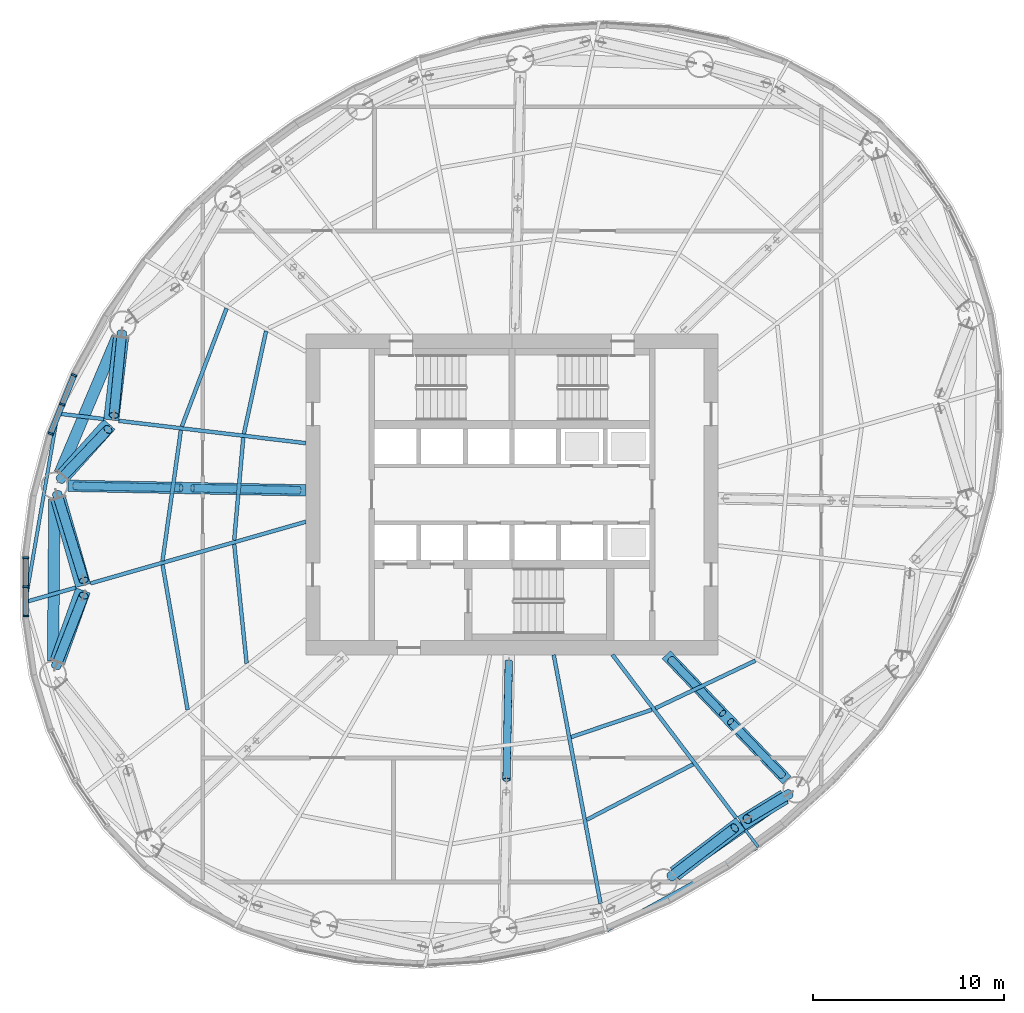
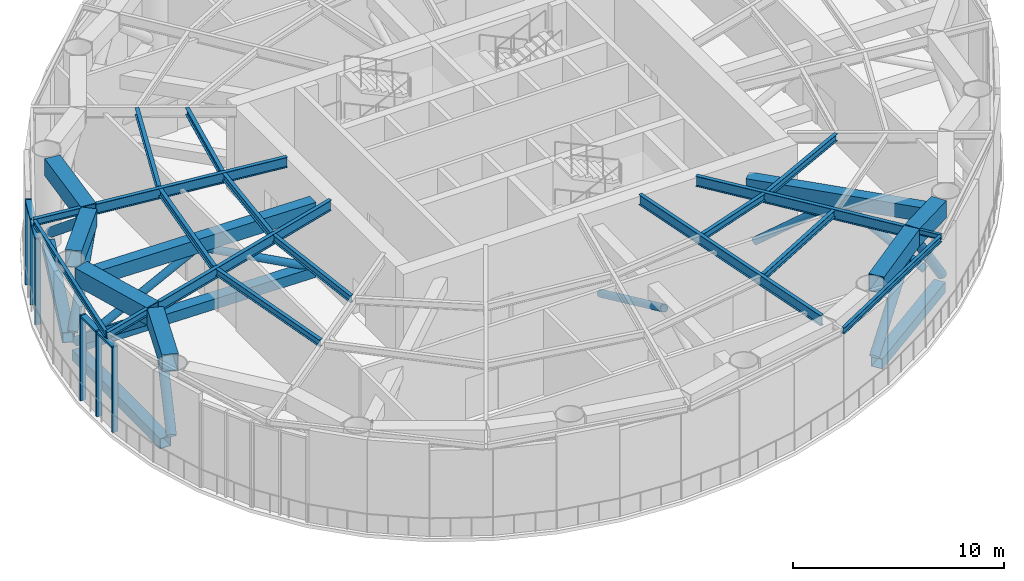
# One storey, part 3 of 19: 33 members, 18 beams, 2 elements without a shape of their own.
"""IFC4 building model written with IfcOpenShell, lengths in metres."""

from ifc_helpers import new_model, si_unit, direction, frame, origin, origin_2d, place, context, subcontext, project, spatial, rectangle, hollow_rectangle, hollow_circle, i_section, extrude, material, material_profile, profile_set, type_object, element, aggregate, save


model = new_model("IFC4")

# Units and contexts
model_context = context("Model", 3, precision=1e-05, world=origin(), true_north=direction((0.0, 1.0)))
body_context = subcontext(model_context, "Body", "Model", "MODEL_VIEW")
ifc_project = project(units=[si_unit("LENGTHUNIT", "METRE"), si_unit("AREAUNIT", "SQUARE_METRE"), si_unit("VOLUMEUNIT", "CUBIC_METRE"), si_unit("PLANEANGLEUNIT", "RADIAN"), si_unit("MASSUNIT", "GRAM", prefix="KILO")], contexts=[model_context])

# Site, building, storey
site_placement = place(None, origin())
site = spatial("IfcSite", under=ifc_project, at=site_placement, CompositionType="ELEMENT")
building_placement = place(site_placement, origin())
building = spatial("IfcBuilding", under=site, at=building_placement, Name="Vermilion Reach Broadcast Tower", CompositionType="ELEMENT")
storey_placement = place(building_placement, frame((0.0, 0.0, 190.199951171875)))
storey = spatial("IfcBuildingStorey", under=building, at=storey_placement, Name="L46", CompositionType="ELEMENT", Elevation=190.199951171875)

# Members
ifc_material_1 = material(Name="Steel S460NL", Category="steel")
ifc_material_profile_1 = material_profile(ifc_material_1, hollow_rectangle(XDim=0.60009765625, YDim=0.60009765625, WallThickness=0.030029296875, at=origin_2d()), Name="S460NL BOX 600x600x30")
ifc_profile_set_1 = profile_set([ifc_material_profile_1], Name="Steel S460NL")
member_type_1 = type_object("IfcMemberType", Name="BT3-BC BOX 600x600x30", PredefinedType="CHORD", material=ifc_profile_set_1)
member_1_placement = place(storey_placement, frame((-26.660888671875, 8.266845703125, 0.300048828125), z_axis=(-0.389368386196, -0.921082113512, 0.0), x_axis=(0.921082113512, -0.389368386196, 0.0)))
element("IfcMember", 1, at=member_1_placement, inside=storey, type_object=member_type_1, Name="Belt truss bottom chord BT3-BC06", PredefinedType="CHORD", context=body_context, shape_type="SweptSolid", body=[
    extrude(hollow_rectangle(XDim=0.60009765625, YDim=0.60009765625, WallThickness=0.030029296875, at=origin_2d()), origin(), (0.0, 0.0, 1.0), 7.771240234375),
])
member_2_placement = place(storey_placement, frame((-29.965087890625, -0.23583984375, 0.300048828125), z_axis=(-0.008204232036, -0.999966344722, 0.0), x_axis=(0.999966344722, -0.008204232036, 0.0)))
element("IfcMember", 2, at=member_2_placement, inside=storey, type_object=member_type_1, Name="Belt truss bottom chord BT3-BC07", PredefinedType="CHORD", context=body_context, shape_type="SweptSolid", body=[
    extrude(hollow_rectangle(XDim=0.60009765625, YDim=0.60009765625, WallThickness=0.030029296875, at=origin_2d()), origin(), (0.0, 0.0, 1.0), 8.48095703125),
])
member_3_placement = place(storey_placement, frame((2.525634765625, -19.900146484375, 0.300048828125), z_axis=(0.820111453349, 0.572203813415, 0.0), x_axis=(-0.572203813415, 0.820111453349, 0.0)))
element("IfcMember", 3, at=member_3_placement, inside=storey, type_object=member_type_1, Name="Belt truss bottom chord BT3-BC12", PredefinedType="CHORD", context=body_context, shape_type="SweptSolid", body=[
    extrude(hollow_rectangle(XDim=0.60009765625, YDim=0.60009765625, WallThickness=0.030029296875, at=origin_2d()), origin(), (0.0, 0.0, 1.0), 7.04736328125),
])
ifc_material_2 = material(Name="Steel S355J2H", Category="steel")
ifc_material_profile_2 = material_profile(ifc_material_2, hollow_circle(Radius=0.25390625, WallThickness=0.02001953125, at=origin_2d()), Name="S355J2H CHS 508x20")
ifc_profile_set_2 = profile_set([ifc_material_profile_2], Name="Steel S355J2H")
member_type_2 = type_object("IfcMemberType", Name="BT3-D CHS 508x20", PredefinedType="BRACE", material=ifc_profile_set_2)
member_4_placement = place(storey_placement, frame((-26.431396484375, 8.463623046875, 0.800048828125), z_axis=(-0.074115123368, -0.771894639727, 0.631415563356), x_axis=(0.995421983805, -0.095577581882, 0.0)))
element("IfcMember", 4, at=member_4_placement, inside=storey, type_object=member_type_2, Name="Belt truss diagonal BT3-D06A", PredefinedType="BRACE", context=body_context, shape_type="SweptSolid", body=[
    extrude(hollow_circle(Radius=0.25390625, WallThickness=0.02001953125, at=origin_2d()), origin(), (0.0, 0.0, 1.0), 5.6064453125),
])
member_5_placement = place(storey_placement, frame((-29.648681640625, 0.789794921875, 0.800048828125), z_axis=(0.492734451892, 0.516308413904, 0.700455838473), x_axis=(-0.723429299599, 0.6903984708, 0.0)))
element("IfcMember", 5, at=member_5_placement, inside=storey, type_object=member_type_2, Name="Belt truss diagonal BT3-D06B", PredefinedType="BRACE", context=body_context, shape_type="SweptSolid", body=[
    extrude(hollow_circle(Radius=0.25390625, WallThickness=0.02001953125, at=origin_2d()), origin(), (0.0, 0.0, 1.0), 5.053955078125),
])
member_6_placement = place(storey_placement, frame((-29.826171875, 0.034423828125, 0.800048828125), z_axis=(0.237338124652, -0.765804970114, 0.597673290632), x_axis=(0.955178988693, 0.296028882981, 0.0)))
element("IfcMember", 6, at=member_6_placement, inside=storey, type_object=member_type_2, Name="Belt truss diagonal BT3-D07A", PredefinedType="BRACE", context=body_context, shape_type="SweptSolid", body=[
    extrude(hollow_circle(Radius=0.25390625, WallThickness=0.02001953125, at=origin_2d()), origin(), (0.0, 0.0, 1.0), 5.923095703125),
])
member_7_placement = place(storey_placement, frame((-29.876220703125, -8.99755859375, 0.800048828125), z_axis=(0.272455464014, 0.694862410665, 0.665533057311), x_axis=(-0.930991230231, 0.365041544531, 0.0)))
element("IfcMember", 7, at=member_7_placement, inside=storey, type_object=member_type_2, Name="Belt truss diagonal BT3-D07B", PredefinedType="BRACE", context=body_context, shape_type="SweptSolid", body=[
    extrude(hollow_circle(Radius=0.25390625, WallThickness=0.02001953125, at=origin_2d()), origin(), (0.0, 0.0, 1.0), 5.319091796875),
])
member_8_placement = place(storey_placement, frame((2.309326171875, -20.027587890625, 0.800048828125), z_axis=(0.609097937312, 0.464954507218, 0.642508372692), x_axis=(-0.606769480888, 0.794877850404, 0.0)))
element("IfcMember", 8, at=member_8_placement, inside=storey, type_object=member_type_2, Name="Belt truss diagonal BT3-D12A", PredefinedType="BRACE", context=body_context, shape_type="SweptSolid", body=[
    extrude(hollow_circle(Radius=0.25390625, WallThickness=0.02001953125, at=origin_2d()), origin(), (0.0, 0.0, 1.0), 5.509765625),
])
member_9_placement = place(storey_placement, frame((8.49365234375, -15.699462890625, 0.800048828125), z_axis=(-0.498854282435, -0.300501118662, 0.812922802349), x_axis=(0.515995613285, -0.856591225189, 0.0)))
element("IfcMember", 9, at=member_9_placement, inside=storey, type_object=member_type_2, Name="Belt truss diagonal BT3-D12B", PredefinedType="BRACE", context=body_context, shape_type="SweptSolid", body=[
    extrude(hollow_circle(Radius=0.25390625, WallThickness=0.02001953125, at=origin_2d()), origin(), (0.0, 0.0, 1.0), 4.354736328125),
])
ifc_material_3 = material(Name="Steel S460NL", Category="steel")
ifc_material_profile_3 = material_profile(ifc_material_3, hollow_rectangle(XDim=0.800048828125, YDim=1.0, WallThickness=0.0400390625, at=origin_2d()), Name="S460NL BOX 800x1000x40")
ifc_profile_set_3 = profile_set([ifc_material_profile_3], Name="Steel S460NL")
member_type_3 = type_object("IfcMemberType", Name="BT3-TC BOX 800x1000x40", PredefinedType="CHORD", material=ifc_profile_set_3)
member_10_placement = place(storey_placement, frame((-26.472412109375, 8.20654296875, 4.85009765625), z_axis=(-0.11860386454, -0.992941651516, 0.0), x_axis=(0.992941651516, -0.11860386454, 0.0)))
element("IfcMember", 10, at=member_10_placement, inside=storey, type_object=member_type_3, Name="Belt truss top chord BT3-TC11", PredefinedType="CHORD", context=body_context, shape_type="SweptSolid", body=[
    extrude(hollow_rectangle(XDim=0.800048828125, YDim=1.0, WallThickness=0.0400390625, at=origin_2d()), origin(), (0.0, 0.0, 1.0), 4.339111328125),
])
member_11_placement = place(storey_placement, frame((-27.090087890625, 3.669921875, 4.85009765625), z_axis=(-0.666912059701, -0.745136433564, 0.0), x_axis=(0.745136433564, -0.666912059701, 0.0)))
element("IfcMember", 11, at=member_11_placement, inside=storey, type_object=member_type_3, Name="Belt truss top chord BT3-TC12", PredefinedType="CHORD", context=body_context, shape_type="SweptSolid", body=[
    extrude(hollow_rectangle(XDim=0.800048828125, YDim=1.0, WallThickness=0.0400390625, at=origin_2d()), origin(), (0.0, 0.0, 1.0), 3.59228515625),
])
member_12_placement = place(storey_placement, frame((-29.76416015625, -0.21826171875, 4.85009765625), z_axis=(0.275183916878, -0.961391601738, 0.0), x_axis=(0.961391601738, 0.275183916878, 0.0)))
element("IfcMember", 12, at=member_12_placement, inside=storey, type_object=member_type_3, Name="Belt truss top chord BT3-TC13", PredefinedType="CHORD", context=body_context, shape_type="SweptSolid", body=[
    extrude(hollow_rectangle(XDim=0.800048828125, YDim=1.0, WallThickness=0.0400390625, at=origin_2d()), origin(), (0.0, 0.0, 1.0), 4.737548828125),
])
member_13_placement = place(storey_placement, frame((-28.46875, -5.02734375, 4.85009765625), z_axis=(-0.337111137544, -0.941464859112, 0.0), x_axis=(0.941464859112, -0.337111137544, 0.0)))
element("IfcMember", 13, at=member_13_placement, inside=storey, type_object=member_type_3, Name="Belt truss top chord BT3-TC14", PredefinedType="CHORD", context=body_context, shape_type="SweptSolid", body=[
    extrude(hollow_rectangle(XDim=0.800048828125, YDim=1.0, WallThickness=0.0400390625, at=origin_2d()), origin(), (0.0, 0.0, 1.0), 3.9521484375),
])
member_14_placement = place(storey_placement, frame((2.517578125, -19.871826171875, 4.85009765625), z_axis=(0.796881904774, 0.604135108932, 0.0), x_axis=(-0.604135108932, 0.796881904774, 0.0)))
element("IfcMember", 14, at=member_14_placement, inside=storey, type_object=member_type_3, Name="Belt truss top chord BT3-TC23", PredefinedType="CHORD", context=body_context, shape_type="SweptSolid", body=[
    extrude(hollow_rectangle(XDim=0.800048828125, YDim=1.0, WallThickness=0.0400390625, at=origin_2d()), origin(), (0.0, 0.0, 1.0), 4.3369140625),
])
member_15_placement = place(storey_placement, frame((6.014404296875, -17.223876953125, 4.85009765625), z_axis=(0.852495327157, 0.522734844043, 0.0), x_axis=(-0.522734844043, 0.852495327157, 0.0)))
element("IfcMember", 15, at=member_15_placement, inside=storey, type_object=member_type_3, Name="Belt truss top chord BT3-TC24", PredefinedType="CHORD", context=body_context, shape_type="SweptSolid", body=[
    extrude(hollow_rectangle(XDim=0.800048828125, YDim=1.0, WallThickness=0.0400390625, at=origin_2d()), origin(), (0.0, 0.0, 1.0), 2.650390625),
])

# Curtain wall, members
ifc_material_4 = material(Name="Low-e laminated clear glass in aluminium frame", Category="aluminium")
curtain_wall_type = type_object("IfcCurtainWallType", Name="Belt glazing curtain wall", PredefinedType="NOTDEFINED", material=ifc_material_4)
placement = place(storey_placement, origin())
curtain_wall_1 = element("IfcCurtainWall", 16, at=placement, inside=storey, type_object=curtain_wall_type, Name="Sky lobby glazing L46 01", PredefinedType="NOTDEFINED")
ifc_material_5 = material(Name="Anodised aluminium", Category="aluminium")
ifc_material_profile_4 = material_profile(ifc_material_5, rectangle(XDim=0.300048828125, YDim=0.10009765625, at=origin_2d()), Name="Belt glazing mullion 100 x 300")
ifc_profile_set_4 = profile_set([ifc_material_profile_4], Name="Anodised aluminium")
member_type_4 = type_object("IfcMemberType", Name="Belt glazing mullion 100 x 300", PredefinedType="MULLION", material=ifc_profile_set_4)
member_16_placement = place(storey_placement, frame((-28.93310546875, 6.243408203125, 0.0), z_axis=(0.0, 0.0, 1.0), x_axis=(0.927587781279, -0.373605283717, 0.0)))
member_16 = element("IfcMember", 17, at=member_16_placement, type_object=member_type_4, Name="Sky lobby glazing mullion L46 01.1", PredefinedType="MULLION", context=body_context, shape_type="SweptSolid", body=[
    extrude(rectangle(XDim=0.300048828125, YDim=0.10009765625, at=origin_2d()), origin(), (0.0, 0.0, 1.0), 4.949951171875),
])
member_17_placement = place(storey_placement, frame((-29.549560546875, 4.712646484375, 0.0), z_axis=(0.0, 0.0, 1.0), x_axis=(0.927587781279, -0.373605283717, 0.0)))
member_17 = element("IfcMember", 18, at=member_17_placement, type_object=member_type_4, Name="Sky lobby glazing mullion L46 01.2", PredefinedType="MULLION", context=body_context, shape_type="SweptSolid", body=[
    extrude(rectangle(XDim=0.300048828125, YDim=0.10009765625, at=origin_2d()), origin(), (0.0, 0.0, 1.0), 4.949951171875),
])
member_18_placement = place(storey_placement, frame((-30.166259765625, 3.181884765625, 0.0), z_axis=(0.0, 0.0, 1.0), x_axis=(0.927587781279, -0.373605283717, 0.0)))
member_18 = element("IfcMember", 19, at=member_18_placement, type_object=member_type_4, Name="Sky lobby glazing mullion L46 01.3", PredefinedType="MULLION", context=body_context, shape_type="SweptSolid", body=[
    extrude(rectangle(XDim=0.300048828125, YDim=0.10009765625, at=origin_2d()), origin(), (0.0, 0.0, 1.0), 4.949951171875),
])

curtain_wall_2 = element("IfcCurtainWall", 20, at=placement, inside=storey, type_object=curtain_wall_type, Name="Sky lobby glazing L46 01", PredefinedType="NOTDEFINED")
member_19_placement = place(storey_placement, frame((-31.466552734375, -3.32421875, 0.0), z_axis=(0.0, 0.0, 1.0), x_axis=(0.999995834757, 0.002886255127, 0.0)))
member_19 = element("IfcMember", 21, at=member_19_placement, type_object=member_type_4, Name="Sky lobby glazing mullion L46 01.1", PredefinedType="MULLION", context=body_context, shape_type="SweptSolid", body=[
    extrude(rectangle(XDim=0.300048828125, YDim=0.10009765625, at=origin_2d()), origin(), (0.0, 0.0, 1.0), 4.949951171875),
])
member_20_placement = place(storey_placement, frame((-31.462158203125, -4.846923828125, 0.0), z_axis=(0.0, 0.0, 1.0), x_axis=(0.999995834757, 0.002886255127, 0.0)))
member_20 = element("IfcMember", 22, at=member_20_placement, type_object=member_type_4, Name="Sky lobby glazing mullion L46 01.2", PredefinedType="MULLION", context=body_context, shape_type="SweptSolid", body=[
    extrude(rectangle(XDim=0.300048828125, YDim=0.10009765625, at=origin_2d()), origin(), (0.0, 0.0, 1.0), 4.949951171875),
])
member_21_placement = place(storey_placement, frame((-31.457763671875, -6.369384765625, 0.0), z_axis=(0.0, 0.0, 1.0), x_axis=(0.999995834757, 0.002886255127, 0.0)))
member_21 = element("IfcMember", 23, at=member_21_placement, type_object=member_type_4, Name="Sky lobby glazing mullion L46 01.3", PredefinedType="MULLION", context=body_context, shape_type="SweptSolid", body=[
    extrude(rectangle(XDim=0.300048828125, YDim=0.10009765625, at=origin_2d()), origin(), (0.0, 0.0, 1.0), 4.949951171875),
])

# Member
ifc_material_6 = material(Name="Anodised aluminium", Category="aluminium")
ifc_material_profile_5 = material_profile(ifc_material_6, rectangle(XDim=0.300048828125, YDim=0.1201171875, at=origin_2d()), Name="Belt glazing transom 300 x 120")
ifc_profile_set_5 = profile_set([ifc_material_profile_5], Name="Anodised aluminium")
member_type_5 = type_object("IfcMemberType", Name="Belt glazing transom 300 x 120", PredefinedType="USERDEFINED", material=ifc_profile_set_5)
member_22_placement = place(storey_placement, frame((-28.951904296875, 6.197021484375, 4.89013671875), z_axis=(-0.373561910372, -0.927605249618, 0.0), x_axis=(0.927605249618, -0.373561910372, 0.0)))
member_22 = element("IfcMember", 24, at=member_22_placement, type_object=member_type_5, Name="Sky lobby glazing transom L46 01.1.2", ObjectType="TRANSOM", PredefinedType="USERDEFINED", context=body_context, shape_type="SweptSolid", body=[
    extrude(rectangle(XDim=0.300048828125, YDim=0.1201171875, at=origin_2d()), origin(), (0.0, 0.0, 1.0), 1.55029296875),
])

member_23_placement = place(storey_placement, frame((-29.568359375, 4.666259765625, 4.89013671875), z_axis=(-0.373561910372, -0.927605249618, 0.0), x_axis=(0.927605249618, -0.373561910372, 0.0)))
member_23 = element("IfcMember", 25, at=member_23_placement, type_object=member_type_5, Name="Sky lobby glazing transom L46 01.2.2", ObjectType="TRANSOM", PredefinedType="USERDEFINED", context=body_context, shape_type="SweptSolid", body=[
    extrude(rectangle(XDim=0.300048828125, YDim=0.1201171875, at=origin_2d()), origin(), (0.0, 0.0, 1.0), 1.55029296875),
])

aggregate(curtain_wall_1, [member_16, member_17, member_18, member_22, member_23])

member_24_placement = place(storey_placement, frame((-31.466552734375, -3.374267578125, 4.89013671875), z_axis=(0.002917440819, -0.99999574426, 0.0), x_axis=(0.99999574426, 0.002917440819, 0.0)))
member_24 = element("IfcMember", 26, at=member_24_placement, type_object=member_type_5, Name="Sky lobby glazing transom L46 01.1.2", ObjectType="TRANSOM", PredefinedType="USERDEFINED", context=body_context, shape_type="SweptSolid", body=[
    extrude(rectangle(XDim=0.300048828125, YDim=0.1201171875, at=origin_2d()), origin(), (0.0, 0.0, 1.0), 1.422607421875),
])

member_25_placement = place(storey_placement, frame((-31.462158203125, -4.89697265625, 4.89013671875), z_axis=(0.002917440819, -0.99999574426, 0.0), x_axis=(0.99999574426, 0.002917440819, 0.0)))
member_25 = element("IfcMember", 27, at=member_25_placement, type_object=member_type_5, Name="Sky lobby glazing transom L46 01.2.2", ObjectType="TRANSOM", PredefinedType="USERDEFINED", context=body_context, shape_type="SweptSolid", body=[
    extrude(rectangle(XDim=0.300048828125, YDim=0.1201171875, at=origin_2d()), origin(), (0.0, 0.0, 1.0), 1.422607421875),
])

aggregate(curtain_wall_2, [member_19, member_20, member_21, member_24, member_25])

# Beams
ifc_material_7 = material(Name="Steel S355J2", Category="steel")
ifc_material_profile_6 = material_profile(ifc_material_7, i_section(OverallWidth=0.175048828125, OverallDepth=0.35009765625, WebThickness=0.007080078125, FlangeThickness=0.010986328125, at=origin_2d()), Name="S355J2 HN 350x175x7x11")
ifc_profile_set_6 = profile_set([ifc_material_profile_6], Name="Steel S355J2")
beam_type_1 = type_object("IfcBeamType", Name="EB4 HN 350x175x7x11", PredefinedType="BEAM", material=ifc_profile_set_6)
beam_1_placement = place(storey_placement, frame((-29.80810546875, 4.134033203125, 5.175048828125), z_axis=(-0.169471696783, -0.985535054673, 0.0), x_axis=(0.985535054673, -0.169471696783, 0.0)))
element("IfcBeam", 28, at=beam_1_placement, inside=storey, type_object=beam_type_1, Name="Edge beam EB4-06", PredefinedType="BEAM", context=body_context, shape_type="SweptSolid", body=[
    extrude(i_section(OverallWidth=0.175048828125, OverallDepth=0.35009765625, WebThickness=0.007080078125, FlangeThickness=0.010986328125, at=origin_2d()), origin(), (0.0, 0.0, 1.0), 9.80615234375),
])
beam_2_placement = place(storey_placement, frame((-1.022216796875, -22.829833984375, 5.175048828125), z_axis=(0.875822279615, 0.482633747816, 0.0), x_axis=(-0.482633747816, 0.875822279615, 0.0)))
element("IfcBeam", 29, at=beam_2_placement, inside=storey, type_object=beam_type_1, Name="Edge beam EB4-11", PredefinedType="BEAM", context=body_context, shape_type="SweptSolid", body=[
    extrude(i_section(OverallWidth=0.175048828125, OverallDepth=0.35009765625, WebThickness=0.007080078125, FlangeThickness=0.010986328125, at=origin_2d()), origin(), (0.0, 0.0, 1.0), 8.963623046875),
])
ifc_material_8 = material(Name="Steel S355J2", Category="steel")
ifc_material_profile_7 = material_profile(ifc_material_8, i_section(OverallWidth=0.199951171875, OverallDepth=0.60009765625, WebThickness=0.010986328125, FlangeThickness=0.01708984375, at=origin_2d()), Name="S355J2 HN 600x200x11x17")
ifc_profile_set_7 = profile_set([ifc_material_profile_7], Name="Steel S355J2")
beam_type_2 = type_object("IfcBeamType", Name="G4 HN 600x200x11x17", PredefinedType="BEAM", material=ifc_profile_set_7)
beam_3_placement = place(storey_placement, frame((-16.800048828125, 2.68115234375, 5.050048828125), z_axis=(-0.992943703663, 0.118586682881, 0.0), x_axis=(-0.118586682881, -0.992943703663, 0.0)))
element("IfcBeam", 30, at=beam_3_placement, inside=storey, type_object=beam_type_2, Name="Girder G4-06", PredefinedType="BEAM", context=body_context, shape_type="SweptSolid", body=[
    extrude(i_section(OverallWidth=0.199951171875, OverallDepth=0.60009765625, WebThickness=0.010986328125, FlangeThickness=0.01708984375, at=origin_2d()), origin(), (0.0, 0.0, 1.0), 9.859375),
])
beam_4_placement = place(storey_placement, frame((-16.800048828125, -1.435546875, 5.050048828125), z_axis=(-0.961397380109, -0.275163728568, 0.0), x_axis=(0.275163728568, -0.961397380109, 0.0)))
element("IfcBeam", 31, at=beam_4_placement, inside=storey, type_object=beam_type_2, Name="Girder G4-07", PredefinedType="BEAM", context=body_context, shape_type="SweptSolid", body=[
    extrude(i_section(OverallWidth=0.199951171875, OverallDepth=0.60009765625, WebThickness=0.010986328125, FlangeThickness=0.01708984375, at=origin_2d()), origin(), (0.0, 0.0, 1.0), 11.728515625),
])
beam_5_placement = place(storey_placement, frame((-3.815673828125, -8.39990234375, 5.050048828125), z_axis=(0.185057440296, -0.982727705822, 0.0), x_axis=(0.982727705822, 0.185057440296, 0.0)))
element("IfcBeam", 32, at=beam_5_placement, inside=storey, type_object=beam_type_2, Name="Girder G4-11", PredefinedType="BEAM", context=body_context, shape_type="SweptSolid", body=[
    extrude(i_section(OverallWidth=0.199951171875, OverallDepth=0.60009765625, WebThickness=0.010986328125, FlangeThickness=0.01708984375, at=origin_2d()), origin(), (0.0, 0.0, 1.0), 13.26513671875),
])
beam_6_placement = place(storey_placement, frame((-0.73681640625, -8.39990234375, 5.050048828125), z_axis=(0.604106994463, -0.79690321824, 0.0), x_axis=(0.79690321824, 0.604106994463, 0.0)))
element("IfcBeam", 33, at=beam_6_placement, inside=storey, type_object=beam_type_2, Name="Girder G4-12", PredefinedType="BEAM", context=body_context, shape_type="SweptSolid", body=[
    extrude(i_section(OverallWidth=0.199951171875, OverallDepth=0.60009765625, WebThickness=0.010986328125, FlangeThickness=0.01708984375, at=origin_2d()), origin(), (0.0, 0.0, 1.0), 10.7080078125),
])
ifc_material_9 = material(Name="Steel S355J2", Category="steel")
ifc_material_profile_8 = material_profile(ifc_material_9, i_section(OverallWidth=0.199951171875, OverallDepth=0.39990234375, WebThickness=0.008056640625, FlangeThickness=0.012939453125, at=origin_2d()), Name="S355J2 HN 400x200x8x13")
ifc_profile_set_8 = profile_set([ifc_material_profile_8], Name="Steel S355J2")
beam_type_3 = type_object("IfcBeamType", Name="GC4 HN 400x200x8x13", PredefinedType="BEAM", material=ifc_profile_set_8)
beam_7_placement = place(storey_placement, frame((-27.38427734375, 3.9453125, 5.150146484375), z_axis=(-0.992947678053, 0.118553399987, 0.0), x_axis=(-0.118553399987, -0.992947678053, 0.0)))
element("IfcBeam", 34, at=beam_7_placement, inside=storey, type_object=beam_type_3, Name="Cantilever girder GC4-06", PredefinedType="BEAM", context=body_context, shape_type="SweptSolid", body=[
    extrude(i_section(OverallWidth=0.199951171875, OverallDepth=0.39990234375, WebThickness=0.008056640625, FlangeThickness=0.012939453125, at=origin_2d()), origin(), (0.0, 0.0, 1.0), 2.423828125),
])
beam_8_placement = place(storey_placement, frame((-28.844970703125, -4.883056640625, 5.150146484375), z_axis=(-0.961406602479, -0.275131504394, 0.0), x_axis=(0.275131504394, -0.961406602479, 0.0)))
element("IfcBeam", 35, at=beam_8_placement, inside=storey, type_object=beam_type_3, Name="Cantilever girder GC4-07", PredefinedType="BEAM", context=body_context, shape_type="SweptSolid", body=[
    extrude(i_section(OverallWidth=0.199951171875, OverallDepth=0.39990234375, WebThickness=0.008056640625, FlangeThickness=0.012939453125, at=origin_2d()), origin(), (0.0, 0.0, 1.0), 2.75),
])
ifc_material_10 = material(Name="Steel S355J2", Category="steel")
ifc_material_profile_9 = material_profile(ifc_material_10, i_section(OverallWidth=0.14990234375, OverallDepth=0.300048828125, WebThickness=0.006591796875, FlangeThickness=0.009033203125, at=origin_2d()), Name="S355J2 HN 300x150x6.5x9")
ifc_profile_set_9 = profile_set([ifc_material_profile_9], Name="Steel S355J2")
beam_type_4 = type_object("IfcBeamType", Name="GS4 HN 300x150x6.5x9", PredefinedType="BEAM", material=ifc_profile_set_9)
beam_9_placement = place(storey_placement, frame((6.21533203125, -17.570556640625, 5.199951171875), z_axis=(0.604020644864, -0.796968669759, 0.0), x_axis=(0.796968669759, 0.604020644864, 0.0)))
element("IfcBeam", 36, at=beam_9_placement, inside=storey, type_object=beam_type_4, Name="Cantilever stub GS4-12", PredefinedType="BEAM", context=body_context, shape_type="SweptSolid", body=[
    extrude(i_section(OverallWidth=0.14990234375, OverallDepth=0.300048828125, WebThickness=0.006591796875, FlangeThickness=0.009033203125, at=origin_2d()), origin(), (0.0, 0.0, 1.0), 1.124755859375),
])

# Members
ifc_material_11 = material(Name="Steel S460NL", Category="steel")
ifc_material_profile_10 = material_profile(ifc_material_11, hollow_rectangle(XDim=0.60009765625, YDim=0.60009765625, WallThickness=0.030029296875, at=origin_2d()), Name="S460NL BOX 600x600x30")
ifc_profile_set_10 = profile_set([ifc_material_profile_10], Name="Steel S460NL")
member_type_6 = type_object("IfcMemberType", Name="OR3-BC BOX 600x600x30", PredefinedType="CHORD", material=ifc_profile_set_10)
member_26_placement = place(storey_placement, frame((-16.800048828125, 0.209228515625, 0.300048828125), z_axis=(-0.999812275453, 0.019375599413, 0.0), x_axis=(-0.019375599413, -0.999812275453, 0.0)))
element("IfcMember", 37, at=member_26_placement, inside=storey, type_object=member_type_6, Name="Outrigger bottom chord OR3-07", PredefinedType="CHORD", context=body_context, shape_type="SweptSolid", body=[
    extrude(hollow_rectangle(XDim=0.60009765625, YDim=0.60009765625, WallThickness=0.030029296875, at=origin_2d()), origin(), (0.0, 0.0, 1.0), 12.4619140625),
])
ifc_material_12 = material(Name="Steel S355J2H", Category="steel")
ifc_material_profile_11 = material_profile(ifc_material_12, hollow_circle(Radius=0.203125, WallThickness=0.01611328125, at=origin_2d()), Name="S355J2H CHS 406x16")
ifc_profile_set_11 = profile_set([ifc_material_profile_11], Name="Steel S355J2H")
member_type_7 = type_object("IfcMemberType", Name="OR3-D CHS 406x16", PredefinedType="BRACE", material=ifc_profile_set_11)
for number, where, z_axis, x_axis, name in (
    (38, (-17.14990234375, 0.216064453125, 0.60009765625), (-0.883925220078, 0.017133181907, 0.467314304712), (-0.019379427047, -0.999812201269, 0.0), "Outrigger diagonal OR3-07-DA"),
    (39, (-28.90966796875, 0.44384765625, 0.60009765625), (0.883925220078, -0.017133181907, 0.467314304712), (0.019379427047, 0.999812201269, 0.0), "Outrigger diagonal OR3-07-DB"),
):
    element("IfcMember", number, at=place(storey_placement, frame(where, z_axis=z_axis, x_axis=x_axis)), inside=storey, type_object=member_type_7, Name=name, PredefinedType="BRACE", context=body_context, shape_type="SweptSolid", body=[
        extrude(hollow_circle(Radius=0.203125, WallThickness=0.01611328125, at=origin_2d()), origin(), (0.0, 0.0, 1.0), 6.3125),
    ])
member_27_placement = place(storey_placement, frame((-6.16943359375, -8.75, 0.60009765625), z_axis=(-0.017491319621, -0.902864945325, 0.429568323136), x_axis=(0.999812393732, -0.019369495106, 0.0)))
element("IfcMember", 40, at=member_27_placement, inside=storey, type_object=member_type_7, Name="Outrigger diagonal OR3-11-DA", PredefinedType="BRACE", context=body_context, shape_type="SweptSolid", body=[
    extrude(hollow_circle(Radius=0.203125, WallThickness=0.01611328125, at=origin_2d()), origin(), (0.0, 0.0, 1.0), 6.8671875),
])
for number, where, z_axis, x_axis, name in (
    (41, (2.3232421875, -8.65234375, 0.60009765625), (0.553103600539, -0.574910373674, 0.602954782146), (0.72064192496, 0.693307446945, 0.0), "Outrigger diagonal OR3-13-DA"),
    (42, (8.1513671875, -14.71044921875, 0.60009765625), (-0.553087732737, 0.574943779917, 0.602937484181), (-0.720671989303, -0.693276195924, 0.0), "Outrigger diagonal OR3-13-DB"),
):
    element("IfcMember", number, at=place(storey_placement, frame(where, z_axis=z_axis, x_axis=x_axis)), inside=storey, type_object=member_type_7, Name=name, PredefinedType="BRACE", context=body_context, shape_type="SweptSolid", body=[
        extrude(hollow_circle(Radius=0.203125, WallThickness=0.01611328125, at=origin_2d()), origin(), (0.0, 0.0, 1.0), 4.892578125),
    ])
ifc_material_13 = material(Name="Steel S460NL", Category="steel")
ifc_material_profile_12 = material_profile(ifc_material_13, hollow_rectangle(XDim=0.60009765625, YDim=0.800048828125, WallThickness=0.030029296875, at=origin_2d()), Name="S460NL BOX 600x800x30")
ifc_profile_set_12 = profile_set([ifc_material_profile_12], Name="Steel S460NL")
member_type_8 = type_object("IfcMemberType", Name="OR3-TC BOX 600x800x30", PredefinedType="CHORD", material=ifc_profile_set_12)
member_28_placement = place(storey_placement, frame((-16.800048828125, 0.209228515625, 3.949951171875), z_axis=(-0.999812275453, 0.019375599413, 0.0), x_axis=(-0.019375599413, -0.999812275453, 0.0)))
element("IfcMember", 43, at=member_28_placement, inside=storey, type_object=member_type_8, Name="Outrigger top chord OR3-07", PredefinedType="CHORD", context=body_context, shape_type="SweptSolid", body=[
    extrude(hollow_rectangle(XDim=0.60009765625, YDim=0.800048828125, WallThickness=0.030029296875, at=origin_2d()), origin(), (0.0, 0.0, 1.0), 12.4619140625),
])
member_29_placement = place(storey_placement, frame((2.08056640625, -8.39990234375, 3.949951171875), z_axis=(0.693288178928, -0.720660461631, 0.0), x_axis=(0.720660461631, 0.693288178928, 0.0)))
element("IfcMember", 44, at=member_29_placement, inside=storey, type_object=member_type_8, Name="Outrigger top chord OR3-13", PredefinedType="CHORD", context=body_context, shape_type="SweptSolid", body=[
    extrude(hollow_rectangle(XDim=0.60009765625, YDim=0.800048828125, WallThickness=0.030029296875, at=origin_2d()), origin(), (0.0, 0.0, 1.0), 9.106689453125),
])

# Beams
ifc_material_14 = material(Name="Steel S355J2", Category="steel")
ifc_material_profile_13 = material_profile(ifc_material_14, i_section(OverallWidth=0.199951171875, OverallDepth=0.39990234375, WebThickness=0.008056640625, FlangeThickness=0.012939453125, at=origin_2d()), Name="S355J2 HN 400x200x8x13")
ifc_profile_set_13 = profile_set([ifc_material_profile_13], Name="Steel S355J2")
beam_type_5 = type_object("IfcBeamType", Name="SB4 HN 400x200x8x13", PredefinedType="BEAM", material=ifc_profile_set_13)
beam_10_placement = place(storey_placement, frame((-18.879150390625, 8.552001953125, 5.150146484375), z_axis=(-0.211157654028, -0.977452016799, 0.0), x_axis=(0.977452016799, -0.211157654028, 0.0)))
element("IfcBeam", 45, at=beam_10_placement, inside=storey, type_object=beam_type_5, Name="Secondary beam SB4-05-1", PredefinedType="BEAM", context=body_context, shape_type="SweptSolid", body=[
    extrude(i_section(OverallWidth=0.199951171875, OverallDepth=0.39990234375, WebThickness=0.008056640625, FlangeThickness=0.012939453125, at=origin_2d()), origin(), (0.0, 0.0, 1.0), 5.507080078125),
])
beam_11_placement = place(storey_placement, frame((-20.949951171875, 9.739013671875, 5.150146484375), z_axis=(-0.354023951405, -0.935236356132, 0.0), x_axis=(0.935236356132, -0.354023951405, 0.0)))
element("IfcBeam", 46, at=beam_11_placement, inside=storey, type_object=beam_type_5, Name="Secondary beam SB4-05-2", PredefinedType="BEAM", context=body_context, shape_type="SweptSolid", body=[
    extrude(i_section(OverallWidth=0.199951171875, OverallDepth=0.39990234375, WebThickness=0.008056640625, FlangeThickness=0.012939453125, at=origin_2d()), origin(), (0.0, 0.0, 1.0), 6.60986328125),
])
beam_12_placement = place(storey_placement, frame((-20.072265625, 2.97119140625, 5.150146484375), z_axis=(-0.088349284852, -0.996089556148, 0.0), x_axis=(0.996089556148, -0.088349284852, 0.0)))
element("IfcBeam", 47, at=beam_12_placement, inside=storey, type_object=beam_type_5, Name="Secondary beam SB4-06-1", PredefinedType="BEAM", context=body_context, shape_type="SweptSolid", body=[
    extrude(i_section(OverallWidth=0.199951171875, OverallDepth=0.39990234375, WebThickness=0.008056640625, FlangeThickness=0.012939453125, at=origin_2d()), origin(), (0.0, 0.0, 1.0), 5.396728515625),
])
beam_13_placement = place(storey_placement, frame((-23.340576171875, 3.361572265625, 5.150146484375), z_axis=(-0.139184430863, -0.990266476362, 0.0), x_axis=(0.990266476362, -0.139184430863, 0.0)))
element("IfcBeam", 48, at=beam_13_placement, inside=storey, type_object=beam_type_5, Name="Secondary beam SB4-06-2", PredefinedType="BEAM", context=body_context, shape_type="SweptSolid", body=[
    extrude(i_section(OverallWidth=0.199951171875, OverallDepth=0.39990234375, WebThickness=0.008056640625, FlangeThickness=0.012939453125, at=origin_2d()), origin(), (0.0, 0.0, 1.0), 6.907470703125),
])
beam_14_placement = place(storey_placement, frame((-20.548095703125, -2.6123046875, 5.150146484375), z_axis=(0.103930425833, -0.994584569851, 0.0), x_axis=(0.994584569851, 0.103930425833, 0.0)))
element("IfcBeam", 49, at=beam_14_placement, inside=storey, type_object=beam_type_5, Name="Secondary beam SB4-07-1", PredefinedType="BEAM", context=body_context, shape_type="SweptSolid", body=[
    extrude(i_section(OverallWidth=0.199951171875, OverallDepth=0.39990234375, WebThickness=0.008056640625, FlangeThickness=0.012939453125, at=origin_2d()), origin(), (0.0, 0.0, 1.0), 6.267333984375),
])
beam_15_placement = place(storey_placement, frame((-24.30029296875, -3.686279296875, 5.150146484375), z_axis=(0.170214444294, -0.985407044299, 0.0), x_axis=(0.985407044299, 0.170214444294, 0.0)))
element("IfcBeam", 50, at=beam_15_placement, inside=storey, type_object=beam_type_5, Name="Secondary beam SB4-07-2", PredefinedType="BEAM", context=body_context, shape_type="SweptSolid", body=[
    extrude(i_section(OverallWidth=0.199951171875, OverallDepth=0.39990234375, WebThickness=0.008056640625, FlangeThickness=0.012939453125, at=origin_2d()), origin(), (0.0, 0.0, 1.0), 7.70947265625),
])
beam_16_placement = place(storey_placement, frame((-2.90185546875, -12.712890625, 5.150146484375), z_axis=(0.946827466732, 0.321741741529, 0.0), x_axis=(-0.321741741529, 0.946827466732, 0.0)))
element("IfcBeam", 51, at=beam_16_placement, inside=storey, type_object=beam_type_5, Name="Secondary beam SB4-11-1", PredefinedType="BEAM", context=body_context, shape_type="SweptSolid", body=[
    extrude(i_section(OverallWidth=0.199951171875, OverallDepth=0.39990234375, WebThickness=0.008056640625, FlangeThickness=0.012939453125, at=origin_2d()), origin(), (0.0, 0.0, 1.0), 4.458740234375),
])
beam_17_placement = place(storey_placement, frame((-2.08642578125, -17.04248046875, 5.150146484375), z_axis=(0.886603546562, 0.462530162501, 0.0), x_axis=(-0.462530162501, 0.886603546562, 0.0)))
element("IfcBeam", 52, at=beam_17_placement, inside=storey, type_object=beam_type_5, Name="Secondary beam SB4-11-2", PredefinedType="BEAM", context=body_context, shape_type="SweptSolid", body=[
    extrude(i_section(OverallWidth=0.199951171875, OverallDepth=0.39990234375, WebThickness=0.008056640625, FlangeThickness=0.012939453125, at=origin_2d()), origin(), (0.0, 0.0, 1.0), 6.284912109375),
])
beam_18_placement = place(storey_placement, frame((1.51171875, -11.200439453125, 5.150146484375), z_axis=(0.902842619544, 0.429971166864, 0.0), x_axis=(-0.429971166864, 0.902842619544, 0.0)))
element("IfcBeam", 53, at=beam_18_placement, inside=storey, type_object=beam_type_5, Name="Secondary beam SB4-12-1", PredefinedType="BEAM", context=body_context, shape_type="SweptSolid", body=[
    extrude(i_section(OverallWidth=0.199951171875, OverallDepth=0.39990234375, WebThickness=0.008056640625, FlangeThickness=0.012939453125, at=origin_2d()), origin(), (0.0, 0.0, 1.0), 5.799072265625),
])

save(model, "model.ifc")
